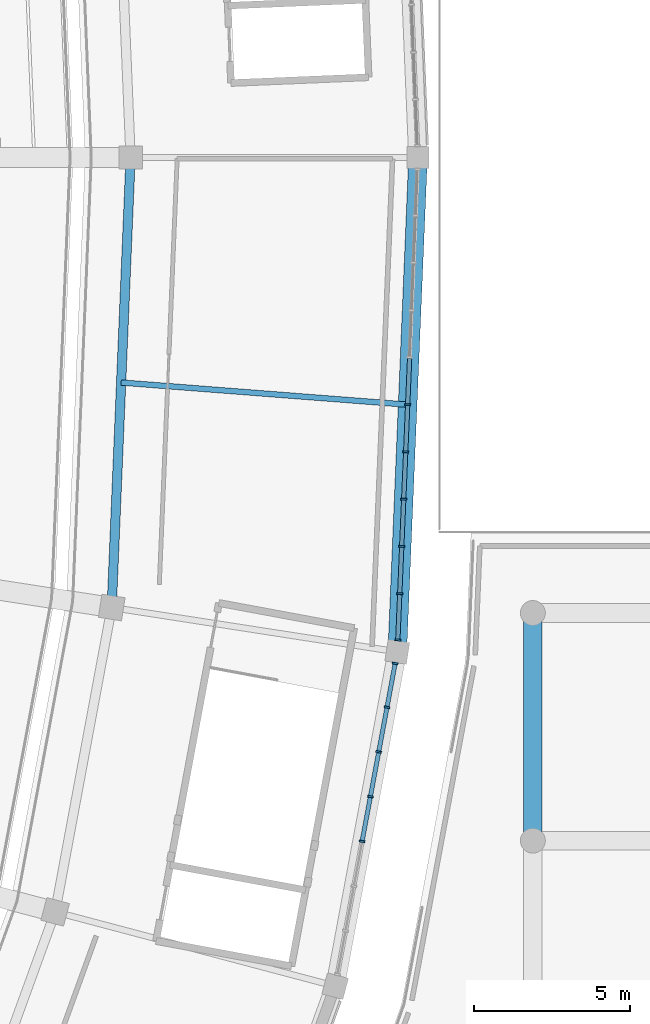
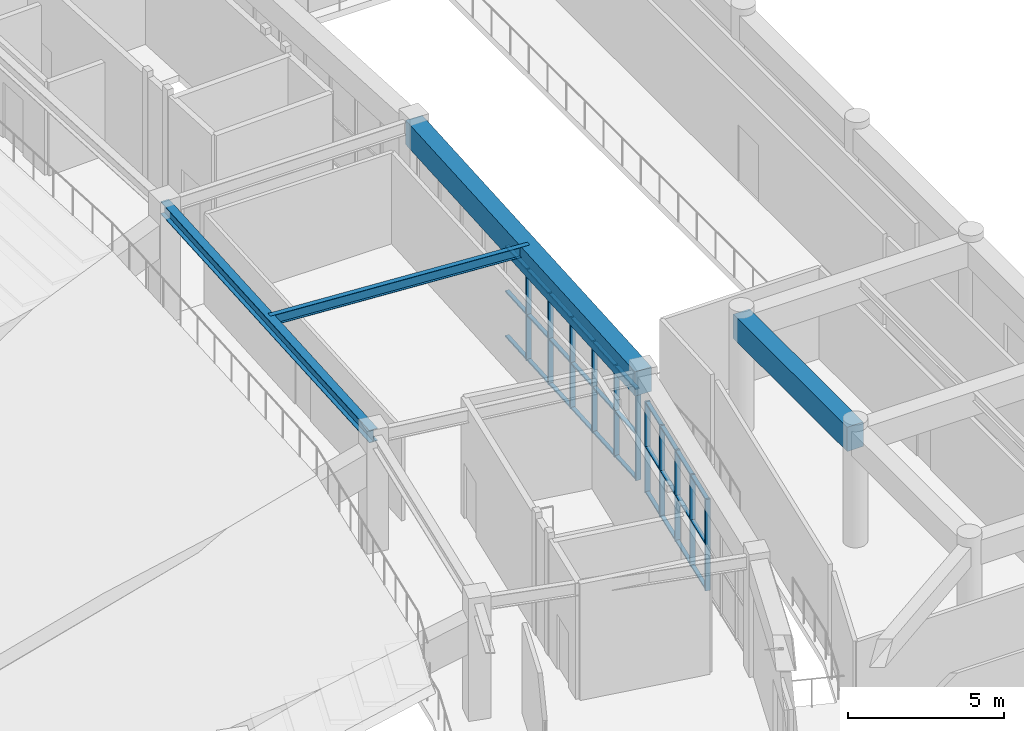
# One storey, part 45 of 137: 41 members, 4 beams, 2 elements without a shape of their own.
"""IFC4 building model written with IfcOpenShell, lengths in metres."""

import ifcopenshell
import ifcopenshell.guid

model = None  # the IFC model being written
_history = None  # IfcOwnerHistory: only IFC2X3 demands one
_inside = {}  # id of a spatial element -> (the spatial element, [elements in it])
_under = {}  # id of a project, library or spatial element -> (it, [spatial elements below it])
_declared = {}  # id of a project -> (the project, [libraries it declares])
_typed = {}  # id of a type object -> (the type object, [elements of that type])
_made_of = {}  # id of a material, layer set ... -> (it, [elements and type objects made of it])


def new_model(schema):
    """Start an empty IFC model of exactly this schema.

    Asked for "IFC4X3", IfcOpenShell would pick the latest addendum, in which some entities
    have other attributes; the version numbers below select the first issue.
    IFC2X3 requires an IfcOwnerHistory on every rooted entity: one is made here for all.
    """
    global model, _history
    if schema == "IFC4X3":
        model = ifcopenshell.file(schema_version=(4, 3, 0, 0))
    else:
        model = ifcopenshell.file(schema=schema)
    _inside.clear()
    _under.clear()
    _declared.clear()
    _typed.clear()
    _made_of.clear()
    _history = None
    if model.schema == "IFC2X3":
        org = make("IfcOrganization", Name="unknown")
        user = make(
            "IfcPersonAndOrganization",
            ThePerson=make("IfcPerson", FamilyName="unknown"),
            TheOrganization=org,
        )
        app = make(
            "IfcApplication",
            ApplicationDeveloper=org,
            Version="unknown",
            ApplicationFullName="unknown",
            ApplicationIdentifier="unknown",
        )
        _history = make(
            "IfcOwnerHistory",
            OwningUser=user,
            OwningApplication=app,
            ChangeAction="ADDED",
            CreationDate=0,
        )
    return model


def make(cls, **values):
    """One entity of the class cls with the attributes given. An attribute that is None is left unset."""
    return model.create_entity(
        cls, **{name: value for name, value in values.items() if value is not None}
    )


def rooted(cls, **values):
    """An entity with a GlobalId (a new one), such as an element, a storey or a relation."""
    return make(cls, GlobalId=ifcopenshell.guid.new(), OwnerHistory=_history, **values)


def si_unit(unit_type, name, prefix=None):
    """IfcSIUnit, for example si_unit("LENGTHUNIT", "METRE", prefix="MILLI")."""
    return make("IfcSIUnit", UnitType=unit_type, Prefix=prefix, Name=name)


def assignment(units):
    """IfcUnitAssignment: the units of a project."""
    return None if units is None else make("IfcUnitAssignment", Units=units)


def point(xyz):
    """IfcCartesianPoint."""
    return None if xyz is None else make("IfcCartesianPoint", Coordinates=xyz)


def direction(xyz):
    """IfcDirection."""
    return None if xyz is None else make("IfcDirection", DirectionRatios=xyz)


def frame(location, z_axis=None, x_axis=None):
    """IfcAxis2Placement3D, a coordinate frame: its origin and axes. An axis left out is left unset."""
    return make(
        "IfcAxis2Placement3D",
        Location=point(location),
        Axis=direction(z_axis),
        RefDirection=direction(x_axis),
    )


def frame_2d(location, x_axis=None):
    """IfcAxis2Placement2D, a coordinate frame in the plane: its origin and x axis."""
    return make(
        "IfcAxis2Placement2D", Location=point(location), RefDirection=direction(x_axis)
    )


def origin():
    """The frame at (0, 0, 0) with its axes left unset."""
    return frame((0.0, 0.0, 0.0))


def origin_2d():
    """The frame at (0, 0) in the plane with its x axis left unset."""
    return frame_2d((0.0, 0.0))


def place(relative_to, where):
    """IfcLocalPlacement: puts the frame where relative to a parent placement (None: the world)."""
    return make(
        "IfcLocalPlacement", PlacementRelTo=relative_to, RelativePlacement=where
    )


def context(
    kind, dimensions, precision=None, world=None, true_north=None, identifier=None
):
    """IfcGeometricRepresentationContext, for example the 3D "Model" context."""
    return make(
        "IfcGeometricRepresentationContext",
        ContextIdentifier=identifier,
        ContextType=kind,
        CoordinateSpaceDimension=dimensions,
        Precision=precision,
        WorldCoordinateSystem=world,
        TrueNorth=true_north,
    )


def subcontext(parent, identifier, kind, view, scale=None):
    """IfcGeometricRepresentationSubContext, for example "Body" below "Model"."""
    return make(
        "IfcGeometricRepresentationSubContext",
        ContextIdentifier=identifier,
        ContextType=kind,
        ParentContext=parent,
        TargetScale=scale,
        TargetView=view,
    )


def project(units=None, contexts=None):
    """IfcProject with its units and contexts."""
    return rooted(
        "IfcProject",
        Name="project",
        RepresentationContexts=contexts,
        UnitsInContext=assignment(units),
    )


def spatial(cls, under=None, at=None, **own):
    """A site, building, storey or space (cls), placed at a placement, below another one or the project."""
    s = rooted(cls, ObjectPlacement=at, **own)
    if under is not None:
        _under.setdefault(under.id(), (under, []))[1].append(s)
    return s


def profile(cls, at=None, kind="AREA", **sizes):
    """A parametric profile (cls). Its sizes go by their IFC names, for example OverallWidth=200.0."""
    return make(cls, ProfileType=kind, Position=at, **sizes)


def rectangle(**sizes):
    """IfcRectangleProfileDef."""
    return profile("IfcRectangleProfileDef", **sizes)


def i_section(**sizes):
    """IfcIShapeProfileDef."""
    return profile("IfcIShapeProfileDef", **sizes)


def extrude(swept, where, along, depth):
    """IfcExtrudedAreaSolid: the profile swept, set in the frame where, extruded along a direction by depth."""
    return make(
        "IfcExtrudedAreaSolid",
        SweptArea=swept,
        Position=where,
        ExtrudedDirection=direction(along),
        Depth=depth,
    )


def shape(context_of_items, identifier, shape_type, items):
    """IfcShapeRepresentation: the items that make up one representation, for example the "Body"."""
    return make(
        "IfcShapeRepresentation",
        ContextOfItems=context_of_items,
        RepresentationIdentifier=identifier,
        RepresentationType=shape_type,
        Items=items,
    )


def material(Name=None, Category=None):
    """IfcMaterial."""
    return make("IfcMaterial", Name=Name, Category=Category)


def layer(
    of_material, thickness, ventilated=None, Name=None, Category=None, Priority=None
):
    """IfcMaterialLayer: one layer of a wall or slab, of a material (None: an air gap)."""
    return make(
        "IfcMaterialLayer",
        Material=of_material,
        LayerThickness=thickness,
        IsVentilated=ventilated,
        Name=Name,
        Category=Category,
        Priority=Priority,
    )


def layer_set(layers, Name=None):
    """IfcMaterialLayerSet."""
    return make("IfcMaterialLayerSet", MaterialLayers=layers, LayerSetName=Name)


def material_profile(
    of_material, cross_section, Name=None, Category=None, Priority=None
):
    """IfcMaterialProfile: a cross section and its material."""
    return make(
        "IfcMaterialProfile",
        Name=Name,
        Material=of_material,
        Profile=cross_section,
        Priority=Priority,
        Category=Category,
    )


def profile_set(profiles, Name=None, composite=None):
    """IfcMaterialProfileSet."""
    return make(
        "IfcMaterialProfileSet",
        Name=Name,
        MaterialProfiles=profiles,
        CompositeProfile=composite,
    )


def made_of(thing, what):
    """Note that an element or type object is made of a material, layer set ...; save() writes the relation."""
    if what is not None:
        _made_of.setdefault(what.id(), (what, []))[1].append(thing)
    return thing


def type_object(cls, material=None, **own):
    """A type object (cls), such as IfcWallType, which elements share."""
    return made_of(rooted(cls, **own), material)


def element(
    cls,
    number,
    at=None,
    inside=None,
    cuts=None,
    type_object=None,
    material=None,
    context=None,
    identifier="Body",
    shape_type=None,
    held_by="IfcProductDefinitionShape",
    body=None,
    shapes=None,
    **own,
):
    """One element of the class cls, such as IfcWall. Its Tag is "e" and its number.

    at: its placement. inside: the storey or other place that contains it. cuts: it is an
    opening in that element (IfcRelVoidsElement). A single representation is given by context,
    identifier, shape_type and body (its items); several are given by shapes. held_by: the class
    of the entity that holds the representations. save() writes the other relations.
    """
    e = rooted(cls, Tag="e%d" % number, ObjectPlacement=at, **own)
    if body is not None:
        shapes = [shape(context, identifier, shape_type, body)]
    if shapes is not None:
        e.Representation = make(held_by, Representations=shapes)
    if inside is not None:
        _inside.setdefault(inside.id(), (inside, []))[1].append(e)
    if cuts is not None:
        rooted(
            "IfcRelVoidsElement", RelatingBuildingElement=cuts, RelatedOpeningElement=e
        )
    if type_object is not None:
        _typed.setdefault(type_object.id(), (type_object, []))[1].append(e)
    return made_of(e, material)


def aggregate(whole, parts):
    """IfcRelAggregates: a whole, such as a stair, and the parts it consists of."""
    return rooted("IfcRelAggregates", RelatingObject=whole, RelatedObjects=parts)


def save(model, path):
    """Write the relations noted so far, then the file.

    IfcRelAggregates (storeys below a building ...), IfcRelContainedInSpatialStructure (elements
    in a storey), IfcRelDefinesByType, IfcRelAssociatesMaterial and IfcRelDeclares: one each for
    every whole, place, type object, material and project.
    """
    for whole, parts in _under.values():
        aggregate(whole, parts)
    for where, things in _inside.values():
        rooted(
            "IfcRelContainedInSpatialStructure",
            RelatedElements=things,
            RelatingStructure=where,
        )
    for kind, things in _typed.values():
        rooted("IfcRelDefinesByType", RelatedObjects=things, RelatingType=kind)
    for what, things in _made_of.values():
        rooted("IfcRelAssociatesMaterial", RelatedObjects=things, RelatingMaterial=what)
    for by, libraries in _declared.values():
        rooted("IfcRelDeclares", RelatingContext=by, RelatedDefinitions=libraries)
    model.write(path)


model = new_model("IFC4")

# Units and contexts
model_context = context("Model", 3, precision=1e-05, world=origin(), true_north=direction((0.0, 1.0)))
body_context = subcontext(model_context, "Body", "Model", "MODEL_VIEW")
ifc_project = project(units=[si_unit("LENGTHUNIT", "METRE"), si_unit("AREAUNIT", "SQUARE_METRE"), si_unit("VOLUMEUNIT", "CUBIC_METRE"), si_unit("PLANEANGLEUNIT", "RADIAN"), si_unit("MASSUNIT", "GRAM", prefix="KILO")], contexts=[model_context])

# Site, building, storey
site_placement = place(None, origin())
site = spatial("IfcSite", under=ifc_project, at=site_placement, CompositionType="ELEMENT")
building_placement = place(site_placement, origin())
building = spatial("IfcBuilding", under=site, at=building_placement, Name="Mphavela Belvedere Stadium", CompositionType="ELEMENT")
storey_placement = place(building_placement, frame((0.0, 0.0, 19.199951171875)))
storey = spatial("IfcBuildingStorey", under=building, at=storey_placement, Name="L04", CompositionType="ELEMENT", Elevation=19.199951171875)

# Beams
ifc_material_1 = material(Name="Concrete C40/50", Category="concrete")
ifc_material_profile_1 = material_profile(ifc_material_1, rectangle(XDim=0.60009765625, YDim=0.949951171875, at=origin_2d()), Name="RC 600x950")
ifc_profile_set_1 = profile_set([ifc_material_profile_1], Name="Concrete C40/50")
beam_type_1 = type_object("IfcBeamType", Name="BM-ENTABLATURE-950", PredefinedType="SPANDREL", material=ifc_profile_set_1)
beam_1_placement = place(storey_placement, frame((217.155517578125, 71.155029296875, 4.074951171875), z_axis=(0.041903963155, 0.999121643181, 0.0), x_axis=(-0.999121643181, 0.041903963155, 0.0)))
element("IfcBeam", 1, at=beam_1_placement, inside=storey, type_object=beam_type_1, Name="Circumferential girder L04 R4-48", PredefinedType="SPANDREL", context=body_context, shape_type="SweptSolid", body=[
    extrude(rectangle(XDim=0.60009765625, YDim=0.949951171875, at=origin_2d()), origin(), (0.0, 0.0, 1.0), 15.85888671875),
])
beam_2_placement = place(storey_placement, frame((221.5, 65.10009765625, 4.06494140625), z_axis=(0.0, 1.0, 0.0), x_axis=(-1.0, 0.0, 0.0)))
element("IfcBeam", 2, at=beam_2_placement, inside=storey, type_object=beam_type_1, Name="East Planted Eaves Peristyle Colonnade entablature beam Y L04 8-3", PredefinedType="SPANDREL", context=body_context, shape_type="SweptSolid", body=[
    extrude(rectangle(XDim=0.60009765625, YDim=0.949951171875, at=origin_2d()), origin(), (0.0, 0.0, 1.0), 7.2998046875),
])
ifc_material_2 = material(Name="Steel S355", Category="steel")
ifc_material_profile_2 = material_profile(ifc_material_2, i_section(OverallWidth=0.179931640625, OverallDepth=0.39990234375, WebThickness=0.008544921875, FlangeThickness=0.013427734375, at=origin_2d()), Name="IPE 400")
ifc_profile_set_2 = profile_set([ifc_material_profile_2], Name="Steel S355")
beam_type_2 = type_object("IfcBeamType", Name="BM-JOIST-IPE400", PredefinedType="JOIST", material=ifc_profile_set_2)
beam_3_placement = place(storey_placement, frame((208.302490234375, 79.78759765625, 4.35009765625), z_axis=(0.997024166372, -0.077089634, 0.0), x_axis=(0.077089634, 0.997024166372, 0.0)))
element("IfcBeam", 3, at=beam_3_placement, inside=storey, type_object=beam_type_2, Name="Concourse floor joist L04-48", PredefinedType="JOIST", context=body_context, shape_type="SweptSolid", body=[
    extrude(i_section(OverallWidth=0.179931640625, OverallDepth=0.39990234375, WebThickness=0.008544921875, FlangeThickness=0.013427734375, at=origin_2d()), origin(), (0.0, 0.0, 1.0), 9.212646484375),
])
ifc_material_3 = material(Name="Steel S355", Category="steel")
ifc_material_profile_3 = material_profile(ifc_material_3, i_section(OverallWidth=0.300048828125, OverallDepth=0.489990234375, WebThickness=0.011962890625, FlangeThickness=0.02294921875, at=origin_2d()), Name="HEA 500")
ifc_profile_set_3 = profile_set([ifc_material_profile_3], Name="Steel S355")
beam_type_3 = type_object("IfcBeamType", Name="BM-STEEL-HEA500", PredefinedType="BEAM", material=ifc_profile_set_3)
beam_4_placement = place(storey_placement, frame((208.0, 72.5751953125, 4.304931640625), z_axis=(0.041903450766, 0.99912166467, 0.0), x_axis=(-0.99912166467, 0.041903450766, 0.0)))
element("IfcBeam", 4, at=beam_4_placement, inside=storey, type_object=beam_type_3, Name="Circumferential girder L04 R3-48", PredefinedType="BEAM", context=body_context, shape_type="SweptSolid", body=[
    extrude(i_section(OverallWidth=0.300048828125, OverallDepth=0.489990234375, WebThickness=0.011962890625, FlangeThickness=0.02294921875, at=origin_2d()), origin(), (0.0, 0.0, 1.0), 14.4375),
])

# Curtain wall, members
ifc_material_4 = material(Name="Anodised bronze unitised curtain wall framing")
ifc_layer_1 = layer(ifc_material_4, 0.18994140625)
ifc_layer_set_1 = layer_set([ifc_layer_1], Name="Anodised bronze unitised curtain wall framing")
curtain_wall_type_1 = type_object("IfcCurtainWallType", Name="CW-UNIT-03", PredefinedType="USERDEFINED", material=ifc_layer_set_1)
curtain_wall_1_placement = place(storey_placement, origin())
curtain_wall_1 = element("IfcCurtainWall", 5, at=curtain_wall_1_placement, inside=storey, type_object=curtain_wall_type_1, Name="Belvedere colonnade curtain wall L04-47", ObjectType="UNITISED CURTAIN WALL", PredefinedType="USERDEFINED")
ifc_material_5 = material(Name="Anodised bronze extruded aluminium", Category="aluminium")
ifc_material_profile_4 = material_profile(ifc_material_5, rectangle(XDim=0.179931640625, YDim=0.06494140625, at=origin_2d()), Name="CW-MUL 180x65")
ifc_profile_set_4 = profile_set([ifc_material_profile_4], Name="Anodised bronze extruded aluminium")
member_type_1 = type_object("IfcMemberType", Name="CWM-180x65", PredefinedType="MULLION", material=ifc_profile_set_4)
member_1_placement = place(storey_placement, frame((216.02685546875, 65.07958984375, 0.0), z_axis=(0.0, 0.0, 1.0), x_axis=(-0.98318393569, 0.182618040183, 0.0)))
member_1 = element("IfcMember", 6, at=member_1_placement, type_object=member_type_1, Name="CW-03 mullion 4", PredefinedType="MULLION", context=body_context, shape_type="SweptSolid", body=[
    extrude(rectangle(XDim=0.179931640625, YDim=0.06494140625, at=origin_2d()), origin(), (0.0, 0.0, 1.0), 3.570068359375),
])
member_2_placement = place(storey_placement, frame((216.293212890625, 66.512939453125, 0.0), z_axis=(0.0, 0.0, 1.0), x_axis=(-0.98318393569, 0.182618040183, 0.0)))
member_2 = element("IfcMember", 7, at=member_2_placement, type_object=member_type_1, Name="CW-03 mullion 5", PredefinedType="MULLION", context=body_context, shape_type="SweptSolid", body=[
    extrude(rectangle(XDim=0.179931640625, YDim=0.06494140625, at=origin_2d()), origin(), (0.0, 0.0, 1.0), 3.570068359375),
])
member_3_placement = place(storey_placement, frame((216.559326171875, 67.9462890625, 0.0), z_axis=(0.0, 0.0, 1.0), x_axis=(-0.98318393569, 0.182618040183, 0.0)))
member_3 = element("IfcMember", 8, at=member_3_placement, type_object=member_type_1, Name="CW-03 mullion 6", PredefinedType="MULLION", context=body_context, shape_type="SweptSolid", body=[
    extrude(rectangle(XDim=0.179931640625, YDim=0.06494140625, at=origin_2d()), origin(), (0.0, 0.0, 1.0), 3.570068359375),
])
member_4_placement = place(storey_placement, frame((216.82568359375, 69.379638671875, 0.0), z_axis=(0.0, 0.0, 1.0), x_axis=(-0.98318393569, 0.182618040183, 0.0)))
member_4 = element("IfcMember", 9, at=member_4_placement, type_object=member_type_1, Name="CW-03 mullion 7", PredefinedType="MULLION", context=body_context, shape_type="SweptSolid", body=[
    extrude(rectangle(XDim=0.179931640625, YDim=0.06494140625, at=origin_2d()), origin(), (0.0, 0.0, 1.0), 3.570068359375),
])
member_5_placement = place(storey_placement, frame((217.0859375, 70.781005859375, 0.0), z_axis=(0.0, 0.0, 1.0), x_axis=(-0.98318393569, 0.182618040183, 0.0)))
member_5 = element("IfcMember", 10, at=member_5_placement, type_object=member_type_1, Name="CW-03 mullion 8", PredefinedType="MULLION", context=body_context, shape_type="SweptSolid", body=[
    extrude(rectangle(XDim=0.179931640625, YDim=0.06494140625, at=origin_2d()), origin(), (0.0, 0.0, 1.0), 3.570068359375),
])

ifc_material_6 = material(Name="Anodised bronze unitised curtain wall framing")
ifc_layer_2 = layer(ifc_material_6, 0.195068359375)
ifc_layer_set_2 = layer_set([ifc_layer_2], Name="Anodised bronze unitised curtain wall framing")
curtain_wall_type_2 = type_object("IfcCurtainWallType", Name="CW-UNIT-04", PredefinedType="USERDEFINED", material=ifc_layer_set_2)
curtain_wall_2_placement = place(storey_placement, origin())
curtain_wall_2 = element("IfcCurtainWall", 11, at=curtain_wall_2_placement, inside=storey, type_object=curtain_wall_type_2, Name="Belvedere colonnade curtain wall L04-48", ObjectType="UNITISED CURTAIN WALL", PredefinedType="USERDEFINED")
member_6_placement = place(storey_placement, frame((217.17138671875, 71.53515625, 0.0), z_axis=(0.0, 0.0, 1.0), x_axis=(-0.999121605563, 0.041904860066, 0.0)))
member_6 = element("IfcMember", 12, at=member_6_placement, type_object=member_type_1, Name="CW-04 mullion 1", PredefinedType="MULLION", context=body_context, shape_type="SweptSolid", body=[
    extrude(rectangle(XDim=0.179931640625, YDim=0.06494140625, at=origin_2d()), origin(), (0.0, 0.0, 1.0), 3.570068359375),
])
member_7_placement = place(storey_placement, frame((217.233642578125, 73.017578125, 0.0), z_axis=(0.0, 0.0, 1.0), x_axis=(-0.999121605563, 0.041904860066, 0.0)))
member_7 = element("IfcMember", 13, at=member_7_placement, type_object=member_type_1, Name="CW-04 mullion 2", PredefinedType="MULLION", context=body_context, shape_type="SweptSolid", body=[
    extrude(rectangle(XDim=0.179931640625, YDim=0.06494140625, at=origin_2d()), origin(), (0.0, 0.0, 1.0), 3.570068359375),
])
member_8_placement = place(storey_placement, frame((217.297119140625, 74.53271484375, 0.0), z_axis=(0.0, 0.0, 1.0), x_axis=(-0.999121605563, 0.041904860066, 0.0)))
member_8 = element("IfcMember", 14, at=member_8_placement, type_object=member_type_1, Name="CW-04 mullion 3", PredefinedType="MULLION", context=body_context, shape_type="SweptSolid", body=[
    extrude(rectangle(XDim=0.179931640625, YDim=0.06494140625, at=origin_2d()), origin(), (0.0, 0.0, 1.0), 3.570068359375),
])
member_9_placement = place(storey_placement, frame((217.360595703125, 76.047607421875, 0.0), z_axis=(0.0, 0.0, 1.0), x_axis=(-0.999121605563, 0.041904860066, 0.0)))
member_9 = element("IfcMember", 15, at=member_9_placement, type_object=member_type_1, Name="CW-04 mullion 4", PredefinedType="MULLION", context=body_context, shape_type="SweptSolid", body=[
    extrude(rectangle(XDim=0.179931640625, YDim=0.06494140625, at=origin_2d()), origin(), (0.0, 0.0, 1.0), 3.570068359375),
])
member_10_placement = place(storey_placement, frame((217.424072265625, 77.5625, 0.0), z_axis=(0.0, 0.0, 1.0), x_axis=(-0.999121605563, 0.041904860066, 0.0)))
member_10 = element("IfcMember", 16, at=member_10_placement, type_object=member_type_1, Name="CW-04 mullion 5", PredefinedType="MULLION", context=body_context, shape_type="SweptSolid", body=[
    extrude(rectangle(XDim=0.179931640625, YDim=0.06494140625, at=origin_2d()), origin(), (0.0, 0.0, 1.0), 3.570068359375),
])
member_11_placement = place(storey_placement, frame((217.48779296875, 79.077392578125, 0.0), z_axis=(0.0, 0.0, 1.0), x_axis=(-0.999121605563, 0.041904860066, 0.0)))
member_11 = element("IfcMember", 17, at=member_11_placement, type_object=member_type_1, Name="CW-04 mullion 6", PredefinedType="MULLION", context=body_context, shape_type="SweptSolid", body=[
    extrude(rectangle(XDim=0.179931640625, YDim=0.06494140625, at=origin_2d()), origin(), (0.0, 0.0, 1.0), 3.570068359375),
])

# Member
ifc_material_7 = material(Name="Anodised bronze extruded aluminium", Category="aluminium")
ifc_material_profile_5 = material_profile(ifc_material_7, rectangle(XDim=0.139892578125, YDim=0.06005859375, at=origin_2d()), Name="CW-TRN 140x60")
ifc_profile_set_5 = profile_set([ifc_material_profile_5], Name="Anodised bronze extruded aluminium")
member_type_2 = type_object("IfcMemberType", Name="CWT-140x60", PredefinedType="USERDEFINED", material=ifc_profile_set_5)
member_12_placement = place(storey_placement, frame((216.03271484375, 65.111572265625, 0.030029296875), z_axis=(0.1826478673, 0.98317839509, 0.0), x_axis=(-0.98317839509, 0.1826478673, 0.0)))
member_12 = element("IfcMember", 18, at=member_12_placement, type_object=member_type_2, Name="CW-03 transom 4.1", ObjectType="TRANSOM", PredefinedType="USERDEFINED", context=body_context, shape_type="SweptSolid", body=[
    extrude(rectangle(XDim=0.139892578125, YDim=0.06005859375, at=origin_2d()), origin(), (0.0, 0.0, 1.0), 1.392822265625),
])

member_13_placement = place(storey_placement, frame((216.03271484375, 65.111572265625, 1.78515625), z_axis=(0.1826478673, 0.98317839509, 0.0), x_axis=(-0.98317839509, 0.1826478673, 0.0)))
member_13 = element("IfcMember", 19, at=member_13_placement, type_object=member_type_2, Name="CW-03 transom 4.2", ObjectType="TRANSOM", PredefinedType="USERDEFINED", context=body_context, shape_type="SweptSolid", body=[
    extrude(rectangle(XDim=0.139892578125, YDim=0.06005859375, at=origin_2d()), origin(), (0.0, 0.0, 1.0), 1.392822265625),
])

member_14_placement = place(storey_placement, frame((216.03271484375, 65.111572265625, 3.5400390625), z_axis=(0.1826478673, 0.98317839509, 0.0), x_axis=(-0.98317839509, 0.1826478673, 0.0)))
member_14 = element("IfcMember", 20, at=member_14_placement, type_object=member_type_2, Name="CW-03 transom 4.3", ObjectType="TRANSOM", PredefinedType="USERDEFINED", context=body_context, shape_type="SweptSolid", body=[
    extrude(rectangle(XDim=0.139892578125, YDim=0.06005859375, at=origin_2d()), origin(), (0.0, 0.0, 1.0), 1.392822265625),
])

member_15_placement = place(storey_placement, frame((216.299072265625, 66.544921875, 0.030029296875), z_axis=(0.1826478673, 0.98317839509, 0.0), x_axis=(-0.98317839509, 0.1826478673, 0.0)))
member_15 = element("IfcMember", 21, at=member_15_placement, type_object=member_type_2, Name="CW-03 transom 5.1", ObjectType="TRANSOM", PredefinedType="USERDEFINED", context=body_context, shape_type="SweptSolid", body=[
    extrude(rectangle(XDim=0.139892578125, YDim=0.06005859375, at=origin_2d()), origin(), (0.0, 0.0, 1.0), 1.392822265625),
])

member_16_placement = place(storey_placement, frame((216.299072265625, 66.544921875, 1.78515625), z_axis=(0.1826478673, 0.98317839509, 0.0), x_axis=(-0.98317839509, 0.1826478673, 0.0)))
member_16 = element("IfcMember", 22, at=member_16_placement, type_object=member_type_2, Name="CW-03 transom 5.2", ObjectType="TRANSOM", PredefinedType="USERDEFINED", context=body_context, shape_type="SweptSolid", body=[
    extrude(rectangle(XDim=0.139892578125, YDim=0.06005859375, at=origin_2d()), origin(), (0.0, 0.0, 1.0), 1.392822265625),
])

member_17_placement = place(storey_placement, frame((216.299072265625, 66.544921875, 3.5400390625), z_axis=(0.1826478673, 0.98317839509, 0.0), x_axis=(-0.98317839509, 0.1826478673, 0.0)))
member_17 = element("IfcMember", 23, at=member_17_placement, type_object=member_type_2, Name="CW-03 transom 5.3", ObjectType="TRANSOM", PredefinedType="USERDEFINED", context=body_context, shape_type="SweptSolid", body=[
    extrude(rectangle(XDim=0.139892578125, YDim=0.06005859375, at=origin_2d()), origin(), (0.0, 0.0, 1.0), 1.392822265625),
])

member_18_placement = place(storey_placement, frame((216.565185546875, 67.978271484375, 0.030029296875), z_axis=(0.1826478673, 0.98317839509, 0.0), x_axis=(-0.98317839509, 0.1826478673, 0.0)))
member_18 = element("IfcMember", 24, at=member_18_placement, type_object=member_type_2, Name="CW-03 transom 6.1", ObjectType="TRANSOM", PredefinedType="USERDEFINED", context=body_context, shape_type="SweptSolid", body=[
    extrude(rectangle(XDim=0.139892578125, YDim=0.06005859375, at=origin_2d()), origin(), (0.0, 0.0, 1.0), 1.392822265625),
])

member_19_placement = place(storey_placement, frame((216.565185546875, 67.978271484375, 1.78515625), z_axis=(0.1826478673, 0.98317839509, 0.0), x_axis=(-0.98317839509, 0.1826478673, 0.0)))
member_19 = element("IfcMember", 25, at=member_19_placement, type_object=member_type_2, Name="CW-03 transom 6.2", ObjectType="TRANSOM", PredefinedType="USERDEFINED", context=body_context, shape_type="SweptSolid", body=[
    extrude(rectangle(XDim=0.139892578125, YDim=0.06005859375, at=origin_2d()), origin(), (0.0, 0.0, 1.0), 1.392822265625),
])

member_20_placement = place(storey_placement, frame((216.565185546875, 67.978271484375, 3.5400390625), z_axis=(0.1826478673, 0.98317839509, 0.0), x_axis=(-0.98317839509, 0.1826478673, 0.0)))
member_20 = element("IfcMember", 26, at=member_20_placement, type_object=member_type_2, Name="CW-03 transom 6.3", ObjectType="TRANSOM", PredefinedType="USERDEFINED", context=body_context, shape_type="SweptSolid", body=[
    extrude(rectangle(XDim=0.139892578125, YDim=0.06005859375, at=origin_2d()), origin(), (0.0, 0.0, 1.0), 1.392822265625),
])

member_21_placement = place(storey_placement, frame((216.83154296875, 69.41162109375, 0.030029296875), z_axis=(0.182532708609, 0.983199781473, 0.0), x_axis=(-0.983199781473, 0.182532708609, 0.0)))
member_21 = element("IfcMember", 27, at=member_21_placement, type_object=member_type_2, Name="CW-03 transom 7.1", ObjectType="TRANSOM", PredefinedType="USERDEFINED", context=body_context, shape_type="SweptSolid", body=[
    extrude(rectangle(XDim=0.139892578125, YDim=0.06005859375, at=origin_2d()), origin(), (0.0, 0.0, 1.0), 1.3603515625),
])

member_22_placement = place(storey_placement, frame((216.83154296875, 69.41162109375, 1.78515625), z_axis=(0.182532708609, 0.983199781473, 0.0), x_axis=(-0.983199781473, 0.182532708609, 0.0)))
member_22 = element("IfcMember", 28, at=member_22_placement, type_object=member_type_2, Name="CW-03 transom 7.2", ObjectType="TRANSOM", PredefinedType="USERDEFINED", context=body_context, shape_type="SweptSolid", body=[
    extrude(rectangle(XDim=0.139892578125, YDim=0.06005859375, at=origin_2d()), origin(), (0.0, 0.0, 1.0), 1.3603515625),
])

member_23_placement = place(storey_placement, frame((216.83154296875, 69.41162109375, 3.5400390625), z_axis=(0.182532708609, 0.983199781473, 0.0), x_axis=(-0.983199781473, 0.182532708609, 0.0)))
member_23 = element("IfcMember", 29, at=member_23_placement, type_object=member_type_2, Name="CW-03 transom 7.3", ObjectType="TRANSOM", PredefinedType="USERDEFINED", context=body_context, shape_type="SweptSolid", body=[
    extrude(rectangle(XDim=0.139892578125, YDim=0.06005859375, at=origin_2d()), origin(), (0.0, 0.0, 1.0), 1.3603515625),
])

aggregate(curtain_wall_1, [member_1, member_2, member_3, member_4, member_5, member_12, member_13, member_14, member_15, member_16, member_17, member_18, member_19, member_20, member_21, member_22, member_23])

member_24_placement = place(storey_placement, frame((217.172607421875, 71.567626953125, 0.030029296875), z_axis=(0.041988428468, 0.999118097061, 0.0), x_axis=(-0.999118097061, 0.041988428468, 0.0)))
member_24 = element("IfcMember", 30, at=member_24_placement, type_object=member_type_2, Name="CW-04 transom 1.1", ObjectType="TRANSOM", PredefinedType="USERDEFINED", context=body_context, shape_type="SweptSolid", body=[
    extrude(rectangle(XDim=0.139892578125, YDim=0.06005859375, at=origin_2d()), origin(), (0.0, 0.0, 1.0), 1.418701171875),
])

member_25_placement = place(storey_placement, frame((217.172607421875, 71.567626953125, 1.78515625), z_axis=(0.041988428468, 0.999118097061, 0.0), x_axis=(-0.999118097061, 0.041988428468, 0.0)))
member_25 = element("IfcMember", 31, at=member_25_placement, type_object=member_type_2, Name="CW-04 transom 1.2", ObjectType="TRANSOM", PredefinedType="USERDEFINED", context=body_context, shape_type="SweptSolid", body=[
    extrude(rectangle(XDim=0.139892578125, YDim=0.06005859375, at=origin_2d()), origin(), (0.0, 0.0, 1.0), 1.418701171875),
])

member_26_placement = place(storey_placement, frame((217.172607421875, 71.567626953125, 3.5400390625), z_axis=(0.041988428468, 0.999118097061, 0.0), x_axis=(-0.999118097061, 0.041988428468, 0.0)))
member_26 = element("IfcMember", 32, at=member_26_placement, type_object=member_type_2, Name="CW-04 transom 1.3", ObjectType="TRANSOM", PredefinedType="USERDEFINED", context=body_context, shape_type="SweptSolid", body=[
    extrude(rectangle(XDim=0.139892578125, YDim=0.06005859375, at=origin_2d()), origin(), (0.0, 0.0, 1.0), 1.418701171875),
])

member_27_placement = place(storey_placement, frame((217.23486328125, 73.050048828125, 0.030029296875), z_axis=(0.041882409795, 0.999122546913, 0.0), x_axis=(-0.999122546913, 0.041882409795, 0.0)))
member_27 = element("IfcMember", 33, at=member_27_placement, type_object=member_type_2, Name="CW-04 transom 2.1", ObjectType="TRANSOM", PredefinedType="USERDEFINED", context=body_context, shape_type="SweptSolid", body=[
    extrude(rectangle(XDim=0.139892578125, YDim=0.06005859375, at=origin_2d()), origin(), (0.0, 0.0, 1.0), 1.451416015625),
])

member_28_placement = place(storey_placement, frame((217.23486328125, 73.050048828125, 1.78515625), z_axis=(0.041882409795, 0.999122546913, 0.0), x_axis=(-0.999122546913, 0.041882409795, 0.0)))
member_28 = element("IfcMember", 34, at=member_28_placement, type_object=member_type_2, Name="CW-04 transom 2.2", ObjectType="TRANSOM", PredefinedType="USERDEFINED", context=body_context, shape_type="SweptSolid", body=[
    extrude(rectangle(XDim=0.139892578125, YDim=0.06005859375, at=origin_2d()), origin(), (0.0, 0.0, 1.0), 1.451416015625),
])

member_29_placement = place(storey_placement, frame((217.23486328125, 73.050048828125, 3.5400390625), z_axis=(0.041882409795, 0.999122546913, 0.0), x_axis=(-0.999122546913, 0.041882409795, 0.0)))
member_29 = element("IfcMember", 35, at=member_29_placement, type_object=member_type_2, Name="CW-04 transom 2.3", ObjectType="TRANSOM", PredefinedType="USERDEFINED", context=body_context, shape_type="SweptSolid", body=[
    extrude(rectangle(XDim=0.139892578125, YDim=0.06005859375, at=origin_2d()), origin(), (0.0, 0.0, 1.0), 1.451416015625),
])

member_30_placement = place(storey_placement, frame((217.29833984375, 74.565185546875, 0.030029296875), z_axis=(0.042057383264, 0.999115196818, 0.0), x_axis=(-0.999115196818, 0.042057383264, 0.0)))
member_30 = element("IfcMember", 36, at=member_30_placement, type_object=member_type_2, Name="CW-04 transom 3.1", ObjectType="TRANSOM", PredefinedType="USERDEFINED", context=body_context, shape_type="SweptSolid", body=[
    extrude(rectangle(XDim=0.139892578125, YDim=0.06005859375, at=origin_2d()), origin(), (0.0, 0.0, 1.0), 1.451171875),
])

member_31_placement = place(storey_placement, frame((217.29833984375, 74.565185546875, 1.78515625), z_axis=(0.042057383264, 0.999115196818, 0.0), x_axis=(-0.999115196818, 0.042057383264, 0.0)))
member_31 = element("IfcMember", 37, at=member_31_placement, type_object=member_type_2, Name="CW-04 transom 3.2", ObjectType="TRANSOM", PredefinedType="USERDEFINED", context=body_context, shape_type="SweptSolid", body=[
    extrude(rectangle(XDim=0.139892578125, YDim=0.06005859375, at=origin_2d()), origin(), (0.0, 0.0, 1.0), 1.451171875),
])

member_32_placement = place(storey_placement, frame((217.29833984375, 74.565185546875, 3.5400390625), z_axis=(0.042057383264, 0.999115196818, 0.0), x_axis=(-0.999115196818, 0.042057383264, 0.0)))
member_32 = element("IfcMember", 38, at=member_32_placement, type_object=member_type_2, Name="CW-04 transom 3.3", ObjectType="TRANSOM", PredefinedType="USERDEFINED", context=body_context, shape_type="SweptSolid", body=[
    extrude(rectangle(XDim=0.139892578125, YDim=0.06005859375, at=origin_2d()), origin(), (0.0, 0.0, 1.0), 1.451171875),
])

member_33_placement = place(storey_placement, frame((217.362060546875, 76.080078125, 0.030029296875), z_axis=(0.041889449519, 0.999122251789, 0.0), x_axis=(-0.999122251789, 0.041889449519, 0.0)))
member_33 = element("IfcMember", 39, at=member_33_placement, type_object=member_type_2, Name="CW-04 transom 4.1", ObjectType="TRANSOM", PredefinedType="USERDEFINED", context=body_context, shape_type="SweptSolid", body=[
    extrude(rectangle(XDim=0.139892578125, YDim=0.06005859375, at=origin_2d()), origin(), (0.0, 0.0, 1.0), 1.451171875),
])

member_34_placement = place(storey_placement, frame((217.362060546875, 76.080078125, 1.78515625), z_axis=(0.041889449519, 0.999122251789, 0.0), x_axis=(-0.999122251789, 0.041889449519, 0.0)))
member_34 = element("IfcMember", 40, at=member_34_placement, type_object=member_type_2, Name="CW-04 transom 4.2", ObjectType="TRANSOM", PredefinedType="USERDEFINED", context=body_context, shape_type="SweptSolid", body=[
    extrude(rectangle(XDim=0.139892578125, YDim=0.06005859375, at=origin_2d()), origin(), (0.0, 0.0, 1.0), 1.451171875),
])

member_35_placement = place(storey_placement, frame((217.362060546875, 76.080078125, 3.5400390625), z_axis=(0.041889449519, 0.999122251789, 0.0), x_axis=(-0.999122251789, 0.041889449519, 0.0)))
member_35 = element("IfcMember", 41, at=member_35_placement, type_object=member_type_2, Name="CW-04 transom 4.3", ObjectType="TRANSOM", PredefinedType="USERDEFINED", context=body_context, shape_type="SweptSolid", body=[
    extrude(rectangle(XDim=0.139892578125, YDim=0.06005859375, at=origin_2d()), origin(), (0.0, 0.0, 1.0), 1.451171875),
])

member_36_placement = place(storey_placement, frame((217.425537109375, 77.594970703125, 0.030029296875), z_axis=(0.041889449519, 0.999122251789, 0.0), x_axis=(-0.999122251789, 0.041889449519, 0.0)))
member_36 = element("IfcMember", 42, at=member_36_placement, type_object=member_type_2, Name="CW-04 transom 5.1", ObjectType="TRANSOM", PredefinedType="USERDEFINED", context=body_context, shape_type="SweptSolid", body=[
    extrude(rectangle(XDim=0.139892578125, YDim=0.06005859375, at=origin_2d()), origin(), (0.0, 0.0, 1.0), 1.451171875),
])

member_37_placement = place(storey_placement, frame((217.425537109375, 77.594970703125, 1.78515625), z_axis=(0.041889449519, 0.999122251789, 0.0), x_axis=(-0.999122251789, 0.041889449519, 0.0)))
member_37 = element("IfcMember", 43, at=member_37_placement, type_object=member_type_2, Name="CW-04 transom 5.2", ObjectType="TRANSOM", PredefinedType="USERDEFINED", context=body_context, shape_type="SweptSolid", body=[
    extrude(rectangle(XDim=0.139892578125, YDim=0.06005859375, at=origin_2d()), origin(), (0.0, 0.0, 1.0), 1.451171875),
])

member_38_placement = place(storey_placement, frame((217.425537109375, 77.594970703125, 3.5400390625), z_axis=(0.041889449519, 0.999122251789, 0.0), x_axis=(-0.999122251789, 0.041889449519, 0.0)))
member_38 = element("IfcMember", 44, at=member_38_placement, type_object=member_type_2, Name="CW-04 transom 5.3", ObjectType="TRANSOM", PredefinedType="USERDEFINED", context=body_context, shape_type="SweptSolid", body=[
    extrude(rectangle(XDim=0.139892578125, YDim=0.06005859375, at=origin_2d()), origin(), (0.0, 0.0, 1.0), 1.451171875),
])

member_39_placement = place(storey_placement, frame((217.489013671875, 79.10986328125, 0.030029296875), z_axis=(0.041882409795, 0.999122546913, 0.0), x_axis=(-0.999122546913, 0.041882409795, 0.0)))
member_39 = element("IfcMember", 45, at=member_39_placement, type_object=member_type_2, Name="CW-04 transom 6.1", ObjectType="TRANSOM", PredefinedType="USERDEFINED", context=body_context, shape_type="SweptSolid", body=[
    extrude(rectangle(XDim=0.139892578125, YDim=0.06005859375, at=origin_2d()), origin(), (0.0, 0.0, 1.0), 1.451416015625),
])

member_40_placement = place(storey_placement, frame((217.489013671875, 79.10986328125, 1.78515625), z_axis=(0.041882409795, 0.999122546913, 0.0), x_axis=(-0.999122546913, 0.041882409795, 0.0)))
member_40 = element("IfcMember", 46, at=member_40_placement, type_object=member_type_2, Name="CW-04 transom 6.2", ObjectType="TRANSOM", PredefinedType="USERDEFINED", context=body_context, shape_type="SweptSolid", body=[
    extrude(rectangle(XDim=0.139892578125, YDim=0.06005859375, at=origin_2d()), origin(), (0.0, 0.0, 1.0), 1.451416015625),
])

member_41_placement = place(storey_placement, frame((217.489013671875, 79.10986328125, 3.5400390625), z_axis=(0.041882409795, 0.999122546913, 0.0), x_axis=(-0.999122546913, 0.041882409795, 0.0)))
member_41 = element("IfcMember", 47, at=member_41_placement, type_object=member_type_2, Name="CW-04 transom 6.3", ObjectType="TRANSOM", PredefinedType="USERDEFINED", context=body_context, shape_type="SweptSolid", body=[
    extrude(rectangle(XDim=0.139892578125, YDim=0.06005859375, at=origin_2d()), origin(), (0.0, 0.0, 1.0), 1.451416015625),
])

aggregate(curtain_wall_2, [member_6, member_7, member_8, member_9, member_10, member_11, member_24, member_25, member_26, member_27, member_28, member_29, member_30, member_31, member_32, member_33, member_34, member_35, member_36, member_37, member_38, member_39, member_40, member_41])

save(model, "model.ifc")
